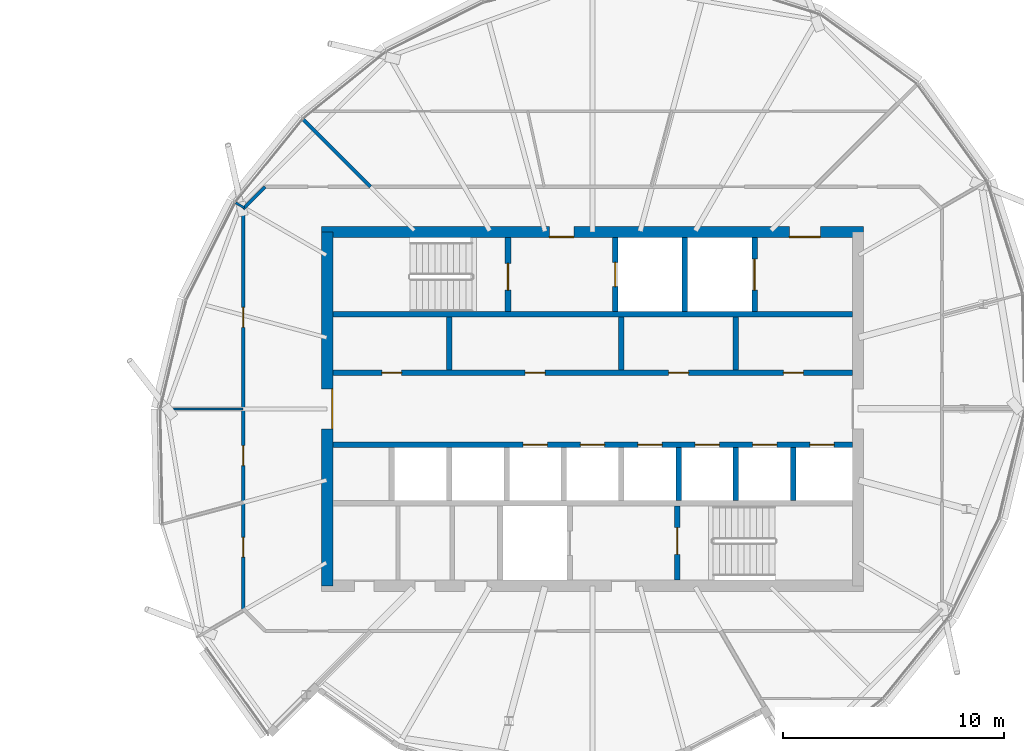
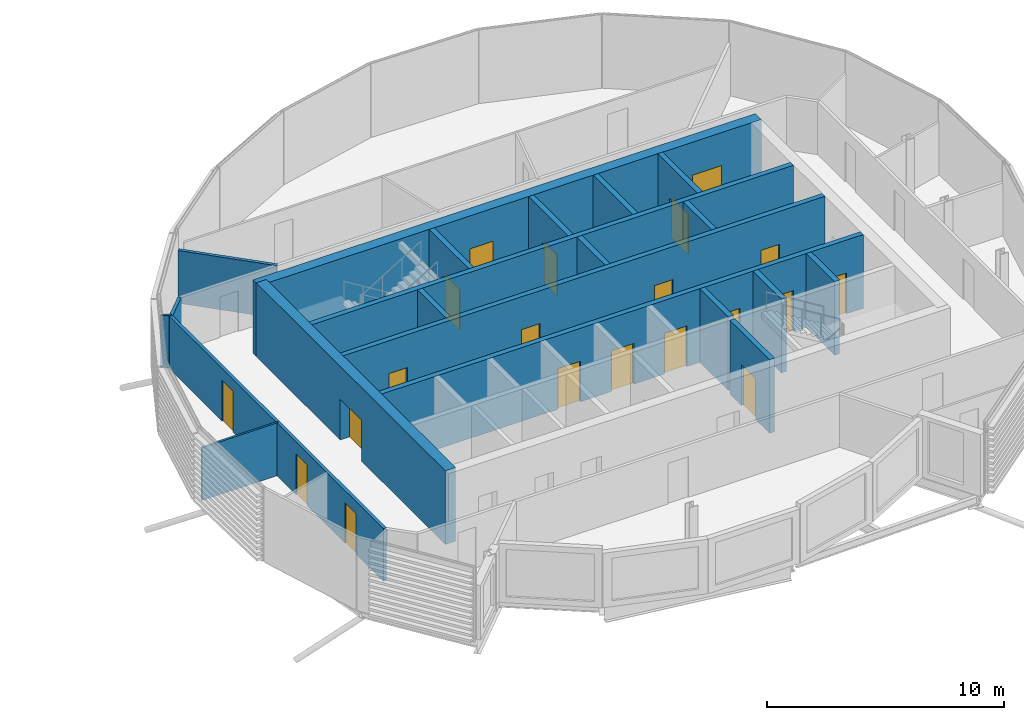
# One storey, part 22 of 35: 21 walls, 20 doors, 20 openings.
"""IFC4 building model written with IfcOpenShell, lengths in metres."""

from ifc_helpers import new_model, si_unit, direction, frame, frame_2d, origin, place, context, subcontext, project, spatial, rectangle, extrude, material, layer, layer_set, type_object, element, fill, save


model = new_model("IFC4")

# Units and contexts
model_context = context("Model", 3, precision=1e-05, world=origin(), true_north=direction((0.0, 1.0)))
body_context = subcontext(model_context, "Body", "Model", "MODEL_VIEW")
ifc_project = project(units=[si_unit("LENGTHUNIT", "METRE"), si_unit("AREAUNIT", "SQUARE_METRE"), si_unit("VOLUMEUNIT", "CUBIC_METRE"), si_unit("PLANEANGLEUNIT", "RADIAN"), si_unit("MASSUNIT", "GRAM", prefix="KILO")], contexts=[model_context])

# Site, building, storey
site_placement = place(None, origin())
site = spatial("IfcSite", under=ifc_project, at=site_placement, CompositionType="ELEMENT")
building_placement = place(site_placement, origin())
building = spatial("IfcBuilding", under=site, at=building_placement, Name="Rimbun Link Towers", CompositionType="ELEMENT")
storey_placement = place(building_placement, frame((0.0, 0.0, 229.5)))
storey = spatial("IfcBuildingStorey", under=building, at=storey_placement, Name="L56", CompositionType="ELEMENT", Elevation=229.5)

# Wall, openings, doors
ifc_material_1 = material(Name="Concrete C60/75", Category="concrete")
ifc_layer_1 = layer(ifc_material_1, 0.5)
ifc_layer_set_1 = layer_set([ifc_layer_1], Name="Core shear wall 500")
wall_type_1 = type_object("IfcWallType", Name="Core shear wall 500", PredefinedType="SHEAR", material=ifc_layer_set_1)
wall_1_placement = place(storey_placement, frame((19.5, 8.0, 0.0), z_axis=(0.0, 0.0, 1.0), x_axis=(1.0, 0.0, 0.0)))
wall_1 = element("IfcWall", 1, at=wall_1_placement, inside=storey, type_object=wall_type_1, Name="L56 T2 core wall N", PredefinedType="SHEAR", context=body_context, shape_type="SweptSolid", body=[
    extrude(rectangle(XDim=24.5, YDim=0.5, at=frame_2d((12.25, 0.0))), origin(), (0.0, 0.0, 1.0), 3.800048828125),
])
opening_1_placement = place(wall_1_placement, frame((10.300048828125, 0.0, 0.0)))
opening_1 = element("IfcOpeningElement", 2, at=opening_1_placement, cuts=wall_1, Name="Opening C2DCF01N", PredefinedType="OPENING", context=body_context, shape_type="SweptSolid", body=[
    extrude(rectangle(XDim=1.10009765625, YDim=2.10009765625, at=frame_2d((0.550048828125, 1.050048828125))), frame((0.0, 0.260009765625, 0.0), z_axis=(0.0, -1.0, 0.0), x_axis=(1.0, 0.0, 0.0)), (0.0, 0.0, 1.0), 0.52001953125),
])
opening_2_placement = place(wall_1_placement, frame((21.14990234375, 0.0, 0.0)))
opening_2 = element("IfcOpeningElement", 3, at=opening_2_placement, cuts=wall_1, Name="Opening C2DSL02N", PredefinedType="OPENING", context=body_context, shape_type="SweptSolid", body=[
    extrude(rectangle(XDim=1.39990234375, YDim=2.10009765625, at=frame_2d((0.699951171875, 1.050048828125))), frame((0.0, 0.260009765625, 0.0), z_axis=(0.0, -1.0, 0.0), x_axis=(1.0, 0.0, 0.0)), (0.0, 0.0, 1.0), 0.52001953125),
])
ifc_material_2 = material(Name="Steel fire door set", Category="steel")
door_type_1 = type_object("IfcDoorType", Name="Core fire door single", OperationType="SINGLE_SWING_LEFT", PredefinedType="DOOR", material=ifc_material_2)
door_1_placement = place(opening_1_placement, origin())
door_1 = element("IfcDoor", 4, at=door_1_placement, inside=storey, type_object=door_type_1, Name="L56 T2 firefighting lobby n door", OperationType="SINGLE_SWING_LEFT", OverallHeight=2.10009765625, OverallWidth=1.10009765625, PredefinedType="DOOR", context=body_context, shape_type="SweptSolid", body=[
    extrude(rectangle(XDim=1.10009765625, YDim=2.10009765625, at=frame_2d((0.550048828125, 1.050048828125))), frame((0.0, -0.2001953125, 0.0), z_axis=(0.0, -1.0, 0.0), x_axis=(1.0, 0.0, 0.0)), (0.0, 0.0, 1.0), 0.050048828125),
])
fill(opening_1, door_1)
ifc_material_3 = material(Name="Steel fire door set", Category="steel")
door_type_2 = type_object("IfcDoorType", Name="Service lobby door double", OperationType="DOUBLE_DOOR_SINGLE_SWING", PredefinedType="DOOR", material=ifc_material_3)
door_2_placement = place(opening_2_placement, origin())
door_2 = element("IfcDoor", 5, at=door_2_placement, inside=storey, type_object=door_type_2, Name="L56 T2 service lobby door", OperationType="DOUBLE_DOOR_SINGLE_SWING", OverallHeight=2.10009765625, OverallWidth=1.39990234375, PredefinedType="DOOR", context=body_context, shape_type="SweptSolid", body=[
    extrude(rectangle(XDim=1.39990234375, YDim=2.10009765625, at=frame_2d((0.699951171875, 1.050048828125))), frame((0.0, -0.2001953125, 0.0), z_axis=(0.0, -1.0, 0.0), x_axis=(1.0, 0.0, 0.0)), (0.0, 0.0, 1.0), 0.050048828125),
])
fill(opening_2, door_2)

# Wall, opening, door
wall_2_placement = place(storey_placement, frame((19.75, -8.0, 0.0), z_axis=(0.0, 0.0, 1.0), x_axis=(0.0, 1.0, 0.0)))
wall_2 = element("IfcWall", 6, at=wall_2_placement, inside=storey, type_object=wall_type_1, Name="L56 T2 core wall W", PredefinedType="SHEAR", context=body_context, shape_type="SweptSolid", body=[
    extrude(rectangle(XDim=16.0, YDim=0.5, at=frame_2d((8.0, 0.0))), origin(), (0.0, 0.0, 1.0), 3.800048828125),
])
opening_3_placement = place(wall_2_placement, frame((7.10009765625, 0.0, 0.0)))
opening_3 = element("IfcOpeningElement", 7, at=opening_3_placement, cuts=wall_2, Name="Opening C2DCL01W", PredefinedType="OPENING", context=body_context, shape_type="SweptSolid", body=[
    extrude(rectangle(XDim=1.800048828125, YDim=2.10009765625, at=frame_2d((0.89990234375, 1.050048828125))), frame((0.0, 0.260009765625, 0.0), z_axis=(0.0, -1.0, 0.0), x_axis=(1.0, 0.0, 0.0)), (0.0, 0.0, 1.0), 0.52001953125),
])
ifc_material_4 = material(Name="Steel fire door set", Category="steel")
door_type_3 = type_object("IfcDoorType", Name="Core lobby door double", OperationType="DOUBLE_DOOR_SINGLE_SWING", PredefinedType="DOOR", material=ifc_material_4)
door_3_placement = place(opening_3_placement, origin())
door_3 = element("IfcDoor", 8, at=door_3_placement, inside=storey, type_object=door_type_3, Name="L56 T2 lift lobby door", OperationType="DOUBLE_DOOR_SINGLE_SWING", OverallHeight=2.10009765625, OverallWidth=1.800048828125, PredefinedType="DOOR", context=body_context, shape_type="SweptSolid", body=[
    extrude(rectangle(XDim=1.800048828125, YDim=2.10009765625, at=frame_2d((0.89990234375, 1.050048828125))), frame((0.0, -0.2001953125, 0.0), z_axis=(0.0, -1.0, 0.0), x_axis=(1.0, 0.0, 0.0)), (0.0, 0.0, 1.0), 0.050048828125),
])
fill(opening_3, door_3)

# Wall, openings, doors
ifc_material_5 = material(Name="Plasterboard on steel stud, mineral wool", Category="steel")
ifc_layer_2 = layer(ifc_material_5, 0.14990234375)
ifc_layer_set_2 = layer_set([ifc_layer_2], Name="Corridor wall EI 30 150 mm")
wall_type_2 = type_object("IfcWallType", Name="Corridor wall EI 30 150 mm", PredefinedType="PARTITIONING", material=ifc_layer_set_2)
wall_3_placement = place(storey_placement, frame((15.945068359375, -9.043701171875, 0.0), z_axis=(0.0, 0.0, 1.0), x_axis=(0.0, 1.0, 0.0)))
wall_3 = element("IfcWall", 9, at=wall_3_placement, inside=storey, type_object=wall_type_2, Name="Corridor wall EI 30 150 mm", PredefinedType="PARTITIONING", context=body_context, shape_type="SweptSolid", body=[
    extrude(rectangle(XDim=18.08740234375, YDim=0.14990234375, at=frame_2d((9.043701171875, 0.0))), origin(), (0.0, 0.0, 1.0), 2.721923828125),
])
opening_4_placement = place(wall_3_placement, frame((12.733642578125, 0.0, 0.0)))
opening_4 = element("IfcOpeningElement", 10, at=opening_4_placement, cuts=wall_3, Name="Opening D02", PredefinedType="OPENING", context=body_context, shape_type="SweptSolid", body=[
    extrude(rectangle(XDim=0.89990234375, YDim=2.10009765625, at=frame_2d((0.449951171875, 1.050048828125))), frame((0.0, 0.0849609375, 0.0), z_axis=(0.0, -1.0, 0.0), x_axis=(1.0, 0.0, 0.0)), (0.0, 0.0, 1.0), 0.169921875),
])
opening_5_placement = place(wall_3_placement, frame((6.476318359375, 0.0, 0.0)))
opening_5 = element("IfcOpeningElement", 11, at=opening_5_placement, cuts=wall_3, Name="Opening D02", PredefinedType="OPENING", context=body_context, shape_type="SweptSolid", body=[
    extrude(rectangle(XDim=0.89990234375, YDim=2.10009765625, at=frame_2d((0.449951171875, 1.050048828125))), frame((0.0, 0.0849609375, 0.0), z_axis=(0.0, -1.0, 0.0), x_axis=(1.0, 0.0, 0.0)), (0.0, 0.0, 1.0), 0.169921875),
])
opening_6_placement = place(wall_3_placement, frame((2.336181640625, 0.0, 0.0)))
opening_6 = element("IfcOpeningElement", 12, at=opening_6_placement, cuts=wall_3, Name="Opening D02", PredefinedType="OPENING", context=body_context, shape_type="SweptSolid", body=[
    extrude(rectangle(XDim=0.89990234375, YDim=2.10009765625, at=frame_2d((0.449951171875, 1.050048828125))), frame((0.0, 0.0849609375, 0.0), z_axis=(0.0, -1.0, 0.0), x_axis=(1.0, 0.0, 0.0)), (0.0, 0.0, 1.0), 0.169921875),
])
ifc_material_6 = material(Name="Fire-resisting timber door leaf", Category="wood")
door_type_4 = type_object("IfcDoorType", Name="Fire door FD30S 900", OperationType="NOTDEFINED", PredefinedType="DOOR", material=ifc_material_6)
door_4_placement = place(opening_4_placement, origin())
door_4 = element("IfcDoor", 13, at=door_4_placement, inside=storey, type_object=door_type_4, Name="Fire door FD30S 900 to Executive office", OperationType="SINGLE_SWING_LEFT", OverallHeight=2.10009765625, OverallWidth=0.89990234375, PredefinedType="DOOR", context=body_context, shape_type="SweptSolid", body=[
    extrude(rectangle(XDim=0.89990234375, YDim=2.10009765625, at=frame_2d((0.449951171875, 1.050048828125))), frame((0.0, 0.02490234375, 0.0), z_axis=(0.0, -1.0, 0.0), x_axis=(1.0, 0.0, 0.0)), (0.0, 0.0, 1.0), 0.050048828125),
])
fill(opening_4, door_4)
door_5_placement = place(opening_5_placement, origin())
door_5 = element("IfcDoor", 14, at=door_5_placement, inside=storey, type_object=door_type_4, Name="Fire door FD30S 900 to Open office", OperationType="SINGLE_SWING_RIGHT", OverallHeight=2.10009765625, OverallWidth=0.89990234375, PredefinedType="DOOR", context=body_context, shape_type="SweptSolid", body=[
    extrude(rectangle(XDim=0.89990234375, YDim=2.10009765625, at=frame_2d((0.449951171875, 1.050048828125))), frame((0.0, 0.02490234375, 0.0), z_axis=(0.0, -1.0, 0.0), x_axis=(1.0, 0.0, 0.0)), (0.0, 0.0, 1.0), 0.050048828125),
])
fill(opening_5, door_5)
door_6_placement = place(opening_6_placement, origin())
door_6 = element("IfcDoor", 15, at=door_6_placement, inside=storey, type_object=door_type_4, Name="Fire door FD30S 900 to Boardroom", OperationType="SINGLE_SWING_LEFT", OverallHeight=2.10009765625, OverallWidth=0.89990234375, PredefinedType="DOOR", context=body_context, shape_type="SweptSolid", body=[
    extrude(rectangle(XDim=0.89990234375, YDim=2.10009765625, at=frame_2d((0.449951171875, 1.050048828125))), frame((0.0, 0.02490234375, 0.0), z_axis=(0.0, -1.0, 0.0), x_axis=(1.0, 0.0, 0.0)), (0.0, 0.0, 1.0), 0.050048828125),
])
fill(opening_6, door_6)

# Walls
wall_4_placement = place(storey_placement, frame((16.9462890625, 10.044921875, 0.0), z_axis=(0.0, 0.0, 1.0), x_axis=(-0.707106781187, -0.707106781187, 0.0)))
element("IfcWall", 16, at=wall_4_placement, inside=storey, type_object=wall_type_2, Name="Corridor wall EI 30 150 mm", PredefinedType="PARTITIONING", context=body_context, shape_type="SweptSolid", body=[
    extrude(rectangle(XDim=1.416015625, YDim=0.14990234375, at=frame_2d((0.7080078125, 0.0))), origin(), (0.0, 0.0, 1.0), 2.721923828125),
])
ifc_material_7 = material(Name="Plasterboard on steel stud", Category="steel")
ifc_layer_3 = layer(ifc_material_7, 0.10009765625)
ifc_layer_set_3 = layer_set([ifc_layer_3], Name="Plasterboard partition 100 mm")
wall_type_3 = type_object("IfcWallType", Name="Plasterboard partition 100 mm", PredefinedType="PARTITIONING", material=ifc_layer_set_3)
wall_5_placement = place(storey_placement, frame((15.600830078125, 9.32373046875, 0.0), z_axis=(0.0, 0.0, 1.0), x_axis=(0.865998750002, -0.500046162864, 0.0)))
element("IfcWall", 17, at=wall_5_placement, inside=storey, type_object=wall_type_3, Name="Plasterboard partition 100 mm", PredefinedType="PARTITIONING", context=body_context, shape_type="SweptSolid", body=[
    extrude(rectangle(XDim=0.45703125, YDim=0.10009765625, at=frame_2d((0.228515625, 0.0))), origin(), (0.0, 0.0, 1.0), 2.721923828125),
])
wall_6_placement = place(storey_placement, frame((12.212646484375, 0.0, 0.0), z_axis=(0.0, 0.0, 1.0), x_axis=(1.0, 0.0, 0.0)))
element("IfcWall", 18, at=wall_6_placement, inside=storey, type_object=wall_type_3, Name="Plasterboard partition 100 mm", PredefinedType="PARTITIONING", context=body_context, shape_type="SweptSolid", body=[
    extrude(rectangle(XDim=3.732421875, YDim=0.10009765625, at=frame_2d((1.8662109375, 0.0))), origin(), (0.0, 0.0, 1.0), 2.721923828125),
])
ifc_material_8 = material(Name="Concrete C60/75", Category="concrete")
ifc_layer_4 = layer(ifc_material_8, 0.25)
ifc_layer_set_4 = layer_set([ifc_layer_4], Name="Shaft wall 250")
wall_type_4 = type_object("IfcWallType", Name="Shaft wall 250", PredefinedType="SHEAR", material=ifc_layer_set_4)
wall_7_placement = place(storey_placement, frame((20.0, 4.27490234375, 0.0), z_axis=(0.0, 0.0, 1.0), x_axis=(1.0, 0.0, 0.0)))
element("IfcWall", 19, at=wall_7_placement, inside=storey, type_object=wall_type_4, Name="L56 T2 core wall BN", PredefinedType="SHEAR", context=body_context, shape_type="SweptSolid", body=[
    extrude(rectangle(XDim=23.5, YDim=0.25, at=frame_2d((11.75, 0.0))), origin(), (0.0, 0.0, 1.0), 3.800048828125),
])

# Wall, openings, doors
wall_8_placement = place(storey_placement, frame((20.0, 1.625, 0.0), z_axis=(0.0, 0.0, 1.0), x_axis=(1.0, 0.0, 0.0)))
wall_8 = element("IfcWall", 20, at=wall_8_placement, inside=storey, type_object=wall_type_4, Name="L56 T2 core wall FN", PredefinedType="SHEAR", context=body_context, shape_type="SweptSolid", body=[
    extrude(rectangle(XDim=23.5, YDim=0.25, at=frame_2d((11.75, 0.0))), origin(), (0.0, 0.0, 1.0), 3.800048828125),
])
opening_7_placement = place(wall_8_placement, frame((2.219482421875, 0.0, 0.0)))
opening_7 = element("IfcOpeningElement", 21, at=opening_7_placement, cuts=wall_8, Name="Opening C2DRS01FN", PredefinedType="OPENING", context=body_context, shape_type="SweptSolid", body=[
    extrude(rectangle(XDim=0.89990234375, YDim=2.10009765625, at=frame_2d((0.449951171875, 1.050048828125))), frame((0.0, 0.135009765625, 0.0), z_axis=(0.0, -1.0, 0.0), x_axis=(1.0, 0.0, 0.0)), (0.0, 0.0, 1.0), 0.27001953125),
])
opening_8_placement = place(wall_8_placement, frame((8.70556640625, 0.0, 0.0)))
opening_8 = element("IfcOpeningElement", 22, at=opening_8_placement, cuts=wall_8, Name="Opening C2DRS02FN", PredefinedType="OPENING", context=body_context, shape_type="SweptSolid", body=[
    extrude(rectangle(XDim=0.89990234375, YDim=2.10009765625, at=frame_2d((0.449951171875, 1.050048828125))), frame((0.0, 0.135009765625, 0.0), z_axis=(0.0, -1.0, 0.0), x_axis=(1.0, 0.0, 0.0)), (0.0, 0.0, 1.0), 0.27001953125),
])
opening_9_placement = place(wall_8_placement, frame((15.191650390625, 0.0, 0.0)))
opening_9 = element("IfcOpeningElement", 23, at=opening_9_placement, cuts=wall_8, Name="Opening C2DRS03FN", PredefinedType="OPENING", context=body_context, shape_type="SweptSolid", body=[
    extrude(rectangle(XDim=0.89990234375, YDim=2.10009765625, at=frame_2d((0.449951171875, 1.050048828125))), frame((0.0, 0.135009765625, 0.0), z_axis=(0.0, -1.0, 0.0), x_axis=(1.0, 0.0, 0.0)), (0.0, 0.0, 1.0), 0.27001953125),
])
opening_10_placement = place(wall_8_placement, frame((20.380615234375, 0.0, 0.0)))
opening_10 = element("IfcOpeningElement", 24, at=opening_10_placement, cuts=wall_8, Name="Opening C2DRS04FN", PredefinedType="OPENING", context=body_context, shape_type="SweptSolid", body=[
    extrude(rectangle(XDim=0.89990234375, YDim=2.10009765625, at=frame_2d((0.449951171875, 1.050048828125))), frame((0.0, 0.135009765625, 0.0), z_axis=(0.0, -1.0, 0.0), x_axis=(1.0, 0.0, 0.0)), (0.0, 0.0, 1.0), 0.27001953125),
])
ifc_material_9 = material(Name="Steel fire door set", Category="steel")
door_type_5 = type_object("IfcDoorType", Name="Core riser door", OperationType="SINGLE_SWING_LEFT", PredefinedType="DOOR", material=ifc_material_9)
door_7_placement = place(opening_7_placement, origin())
door_7 = element("IfcDoor", 25, at=door_7_placement, inside=storey, type_object=door_type_5, Name="L56 T2 first aid room door", OperationType="SINGLE_SWING_LEFT", OverallHeight=2.10009765625, OverallWidth=0.89990234375, PredefinedType="DOOR", context=body_context, shape_type="SweptSolid", body=[
    extrude(rectangle(XDim=0.89990234375, YDim=2.10009765625, at=frame_2d((0.449951171875, 1.050048828125))), frame((0.0, 0.02490234375, 0.0), z_axis=(0.0, -1.0, 0.0), x_axis=(1.0, 0.0, 0.0)), (0.0, 0.0, 1.0), 0.050048828125),
])
fill(opening_7, door_7)
door_8_placement = place(opening_8_placement, origin())
door_8 = element("IfcDoor", 26, at=door_8_placement, inside=storey, type_object=door_type_5, Name="L56 T2 plant room door", OperationType="SINGLE_SWING_LEFT", OverallHeight=2.10009765625, OverallWidth=0.89990234375, PredefinedType="DOOR", context=body_context, shape_type="SweptSolid", body=[
    extrude(rectangle(XDim=0.89990234375, YDim=2.10009765625, at=frame_2d((0.449951171875, 1.050048828125))), frame((0.0, 0.02490234375, 0.0), z_axis=(0.0, -1.0, 0.0), x_axis=(1.0, 0.0, 0.0)), (0.0, 0.0, 1.0), 0.050048828125),
])
fill(opening_8, door_8)
door_9_placement = place(opening_9_placement, origin())
door_9 = element("IfcDoor", 27, at=door_9_placement, inside=storey, type_object=door_type_5, Name="L56 T2 archive store door", OperationType="SINGLE_SWING_LEFT", OverallHeight=2.10009765625, OverallWidth=0.89990234375, PredefinedType="DOOR", context=body_context, shape_type="SweptSolid", body=[
    extrude(rectangle(XDim=0.89990234375, YDim=2.10009765625, at=frame_2d((0.449951171875, 1.050048828125))), frame((0.0, 0.02490234375, 0.0), z_axis=(0.0, -1.0, 0.0), x_axis=(1.0, 0.0, 0.0)), (0.0, 0.0, 1.0), 0.050048828125),
])
fill(opening_9, door_9)
door_10_placement = place(opening_10_placement, origin())
door_10 = element("IfcDoor", 28, at=door_10_placement, inside=storey, type_object=door_type_5, Name="L56 T2 pantry door", OperationType="SINGLE_SWING_LEFT", OverallHeight=2.10009765625, OverallWidth=0.89990234375, PredefinedType="DOOR", context=body_context, shape_type="SweptSolid", body=[
    extrude(rectangle(XDim=0.89990234375, YDim=2.10009765625, at=frame_2d((0.449951171875, 1.050048828125))), frame((0.0, 0.02490234375, 0.0), z_axis=(0.0, -1.0, 0.0), x_axis=(1.0, 0.0, 0.0)), (0.0, 0.0, 1.0), 0.050048828125),
])
fill(opening_10, door_10)

wall_9_placement = place(storey_placement, frame((20.0, -1.625, 0.0), z_axis=(0.0, 0.0, 1.0), x_axis=(1.0, 0.0, 0.0)))
wall_9 = element("IfcWall", 29, at=wall_9_placement, inside=storey, type_object=wall_type_4, Name="L56 T2 core wall FS", PredefinedType="SHEAR", context=body_context, shape_type="SweptSolid", body=[
    extrude(rectangle(XDim=23.5, YDim=0.25, at=frame_2d((11.75, 0.0))), origin(), (0.0, 0.0, 1.0), 3.800048828125),
])
opening_11_placement = place(wall_9_placement, frame((8.605712890625, 0.0, 0.0)))
opening_11 = element("IfcOpeningElement", 30, at=opening_11_placement, cuts=wall_9, Name="Opening LD-T2-HR1", PredefinedType="OPENING", context=body_context, shape_type="SweptSolid", body=[
    extrude(rectangle(XDim=1.10009765625, YDim=2.10009765625, at=frame_2d((0.550048828125, 1.050048828125))), frame((0.0, 0.135009765625, 0.0), z_axis=(0.0, -1.0, 0.0), x_axis=(1.0, 0.0, 0.0)), (0.0, 0.0, 1.0), 0.27001953125),
])
opening_12_placement = place(wall_9_placement, frame((11.199951171875, 0.0, 0.0)))
opening_12 = element("IfcOpeningElement", 31, at=opening_12_placement, cuts=wall_9, Name="Opening LD-T2-HR2", PredefinedType="OPENING", context=body_context, shape_type="SweptSolid", body=[
    extrude(rectangle(XDim=1.10009765625, YDim=2.10009765625, at=frame_2d((0.550048828125, 1.050048828125))), frame((0.0, 0.135009765625, 0.0), z_axis=(0.0, -1.0, 0.0), x_axis=(1.0, 0.0, 0.0)), (0.0, 0.0, 1.0), 0.27001953125),
])
opening_13_placement = place(wall_9_placement, frame((13.79443359375, 0.0, 0.0)))
opening_13 = element("IfcOpeningElement", 32, at=opening_13_placement, cuts=wall_9, Name="Opening LD-T2-HR3", PredefinedType="OPENING", context=body_context, shape_type="SweptSolid", body=[
    extrude(rectangle(XDim=1.10009765625, YDim=2.10009765625, at=frame_2d((0.550048828125, 1.050048828125))), frame((0.0, 0.135009765625, 0.0), z_axis=(0.0, -1.0, 0.0), x_axis=(1.0, 0.0, 0.0)), (0.0, 0.0, 1.0), 0.27001953125),
])
opening_14_placement = place(wall_9_placement, frame((16.388916015625, 0.0, 0.0)))
opening_14 = element("IfcOpeningElement", 33, at=opening_14_placement, cuts=wall_9, Name="Opening LD-T2-HR4", PredefinedType="OPENING", context=body_context, shape_type="SweptSolid", body=[
    extrude(rectangle(XDim=1.10009765625, YDim=2.10009765625, at=frame_2d((0.550048828125, 1.050048828125))), frame((0.0, 0.135009765625, 0.0), z_axis=(0.0, -1.0, 0.0), x_axis=(1.0, 0.0, 0.0)), (0.0, 0.0, 1.0), 0.27001953125),
])
opening_15_placement = place(wall_9_placement, frame((18.9833984375, 0.0, 0.0)))
opening_15 = element("IfcOpeningElement", 34, at=opening_15_placement, cuts=wall_9, Name="Opening LD-T2-HR5", PredefinedType="OPENING", context=body_context, shape_type="SweptSolid", body=[
    extrude(rectangle(XDim=1.10009765625, YDim=2.10009765625, at=frame_2d((0.550048828125, 1.050048828125))), frame((0.0, 0.135009765625, 0.0), z_axis=(0.0, -1.0, 0.0), x_axis=(1.0, 0.0, 0.0)), (0.0, 0.0, 1.0), 0.27001953125),
])
opening_16_placement = place(wall_9_placement, frame((21.577880859375, 0.0, 0.0)))
opening_16 = element("IfcOpeningElement", 35, at=opening_16_placement, cuts=wall_9, Name="Opening LD-T2-HR6", PredefinedType="OPENING", context=body_context, shape_type="SweptSolid", body=[
    extrude(rectangle(XDim=1.10009765625, YDim=2.10009765625, at=frame_2d((0.550048828125, 1.050048828125))), frame((0.0, 0.135009765625, 0.0), z_axis=(0.0, -1.0, 0.0), x_axis=(1.0, 0.0, 0.0)), (0.0, 0.0, 1.0), 0.27001953125),
])
ifc_material_10 = material(Name="Stainless steel grade 316", Category="steel")
door_type_6 = type_object("IfcDoorType", Name="Lift landing door", OperationType="DOUBLE_DOOR_SLIDING", PredefinedType="DOOR", material=ifc_material_10)
door_11_placement = place(opening_11_placement, origin())
door_11 = element("IfcDoor", 36, at=door_11_placement, inside=storey, type_object=door_type_6, Name="L56 T2 lift HR1 landing door", OperationType="DOUBLE_DOOR_SLIDING", OverallHeight=2.10009765625, OverallWidth=1.10009765625, PredefinedType="DOOR", context=body_context, shape_type="SweptSolid", body=[
    extrude(rectangle(XDim=1.10009765625, YDim=2.10009765625, at=frame_2d((0.550048828125, 1.050048828125))), frame((0.0, 0.02490234375, 0.0), z_axis=(0.0, -1.0, 0.0), x_axis=(1.0, 0.0, 0.0)), (0.0, 0.0, 1.0), 0.050048828125),
])
fill(opening_11, door_11)
door_12_placement = place(opening_12_placement, origin())
door_12 = element("IfcDoor", 37, at=door_12_placement, inside=storey, type_object=door_type_6, Name="L56 T2 lift HR2 landing door", OperationType="DOUBLE_DOOR_SLIDING", OverallHeight=2.10009765625, OverallWidth=1.10009765625, PredefinedType="DOOR", context=body_context, shape_type="SweptSolid", body=[
    extrude(rectangle(XDim=1.10009765625, YDim=2.10009765625, at=frame_2d((0.550048828125, 1.050048828125))), frame((0.0, 0.02490234375, 0.0), z_axis=(0.0, -1.0, 0.0), x_axis=(1.0, 0.0, 0.0)), (0.0, 0.0, 1.0), 0.050048828125),
])
fill(opening_12, door_12)
door_13_placement = place(opening_13_placement, origin())
door_13 = element("IfcDoor", 38, at=door_13_placement, inside=storey, type_object=door_type_6, Name="L56 T2 lift HR3 landing door", OperationType="DOUBLE_DOOR_SLIDING", OverallHeight=2.10009765625, OverallWidth=1.10009765625, PredefinedType="DOOR", context=body_context, shape_type="SweptSolid", body=[
    extrude(rectangle(XDim=1.10009765625, YDim=2.10009765625, at=frame_2d((0.550048828125, 1.050048828125))), frame((0.0, 0.02490234375, 0.0), z_axis=(0.0, -1.0, 0.0), x_axis=(1.0, 0.0, 0.0)), (0.0, 0.0, 1.0), 0.050048828125),
])
fill(opening_13, door_13)
door_14_placement = place(opening_14_placement, origin())
door_14 = element("IfcDoor", 39, at=door_14_placement, inside=storey, type_object=door_type_6, Name="L56 T2 lift HR4 landing door", OperationType="DOUBLE_DOOR_SLIDING", OverallHeight=2.10009765625, OverallWidth=1.10009765625, PredefinedType="DOOR", context=body_context, shape_type="SweptSolid", body=[
    extrude(rectangle(XDim=1.10009765625, YDim=2.10009765625, at=frame_2d((0.550048828125, 1.050048828125))), frame((0.0, 0.02490234375, 0.0), z_axis=(0.0, -1.0, 0.0), x_axis=(1.0, 0.0, 0.0)), (0.0, 0.0, 1.0), 0.050048828125),
])
fill(opening_14, door_14)
door_15_placement = place(opening_15_placement, origin())
door_15 = element("IfcDoor", 40, at=door_15_placement, inside=storey, type_object=door_type_6, Name="L56 T2 lift HR5 landing door", OperationType="DOUBLE_DOOR_SLIDING", OverallHeight=2.10009765625, OverallWidth=1.10009765625, PredefinedType="DOOR", context=body_context, shape_type="SweptSolid", body=[
    extrude(rectangle(XDim=1.10009765625, YDim=2.10009765625, at=frame_2d((0.550048828125, 1.050048828125))), frame((0.0, 0.02490234375, 0.0), z_axis=(0.0, -1.0, 0.0), x_axis=(1.0, 0.0, 0.0)), (0.0, 0.0, 1.0), 0.050048828125),
])
fill(opening_15, door_15)
door_16_placement = place(opening_16_placement, origin())
door_16 = element("IfcDoor", 41, at=door_16_placement, inside=storey, type_object=door_type_6, Name="L56 T2 lift HR6 landing door", OperationType="DOUBLE_DOOR_SLIDING", OverallHeight=2.10009765625, OverallWidth=1.10009765625, PredefinedType="DOOR", context=body_context, shape_type="SweptSolid", body=[
    extrude(rectangle(XDim=1.10009765625, YDim=2.10009765625, at=frame_2d((0.550048828125, 1.050048828125))), frame((0.0, 0.02490234375, 0.0), z_axis=(0.0, -1.0, 0.0), x_axis=(1.0, 0.0, 0.0)), (0.0, 0.0, 1.0), 0.050048828125),
])
fill(opening_16, door_16)

# Walls
for number, where, z_axis, x_axis, name in (
    (42, (25.263916015625, 1.75, 0.0), (0.0, 0.0, 1.0), (0.0, 1.0, 0.0), "L56 T2 core wall DN1"),
    (43, (33.047119140625, 1.75, 0.0), (0.0, 0.0, 1.0), (0.0, 1.0, 0.0), "L56 T2 core wall DN4"),
    (44, (38.236083984375, 1.75, 0.0), (0.0, 0.0, 1.0), (0.0, 1.0, 0.0), "L56 T2 core wall DN6"),
    (45, (35.6416015625, -4.14990234375, 0.0), (0.0, 0.0, 1.0), (0.0, 1.0, 0.0), "L56 T2 core wall DS5"),
    (46, (38.236083984375, -4.14990234375, 0.0), (0.0, 0.0, 1.0), (0.0, 1.0, 0.0), "L56 T2 core wall DS6"),
    (47, (40.83056640625, -4.14990234375, 0.0), (0.0, 0.0, 1.0), (0.0, 1.0, 0.0), "L56 T2 core wall DS7"),
):
    element("IfcWall", number, at=place(storey_placement, frame(where, z_axis=z_axis, x_axis=x_axis)), inside=storey, type_object=wall_type_4, Name=name, PredefinedType="SHEAR", context=body_context, shape_type="SweptSolid", body=[
        extrude(rectangle(XDim=2.39990234375, YDim=0.25, at=frame_2d((1.199951171875, 0.0))), origin(), (0.0, 0.0, 1.0), 3.800048828125),
    ])

# Wall, opening, door
wall_10_placement = place(storey_placement, frame((27.925048828125, 4.39990234375, 0.0), z_axis=(0.0, 0.0, 1.0), x_axis=(0.0, 1.0, 0.0)))
wall_10 = element("IfcWall", 48, at=wall_10_placement, inside=storey, type_object=wall_type_4, Name="L56 T2 core wall A1", PredefinedType="SHEAR", context=body_context, shape_type="SweptSolid", body=[
    extrude(rectangle(XDim=3.35009765625, YDim=0.25, at=frame_2d((1.675048828125, 0.0))), origin(), (0.0, 0.0, 1.0), 3.800048828125),
])
opening_17_placement = place(wall_10_placement, frame((0.97509765625, 0.0, 0.0)))
opening_17 = element("IfcOpeningElement", 49, at=opening_17_placement, cuts=wall_10, Name="Opening C2DST01A1", PredefinedType="OPENING", context=body_context, shape_type="SweptSolid", body=[
    extrude(rectangle(XDim=1.199951171875, YDim=2.10009765625, at=frame_2d((0.60009765625, 1.050048828125))), frame((0.0, 0.135009765625, 0.0), z_axis=(0.0, -1.0, 0.0), x_axis=(1.0, 0.0, 0.0)), (0.0, 0.0, 1.0), 0.27001953125),
])
ifc_material_11 = material(Name="Steel fire door set", Category="steel")
door_type_7 = type_object("IfcDoorType", Name="Stair door", OperationType="SINGLE_SWING_LEFT", PredefinedType="DOOR", material=ifc_material_11)
door_17_placement = place(opening_17_placement, origin())
door_17 = element("IfcDoor", 50, at=door_17_placement, inside=storey, type_object=door_type_7, Name="L56 T2 stair a door", OperationType="SINGLE_SWING_RIGHT", OverallHeight=2.10009765625, OverallWidth=1.199951171875, PredefinedType="DOOR", context=body_context, shape_type="SweptSolid", body=[
    extrude(rectangle(XDim=1.199951171875, YDim=2.10009765625, at=frame_2d((0.60009765625, 1.050048828125))), frame((0.0, 0.02490234375, 0.0), z_axis=(0.0, -1.0, 0.0), x_axis=(1.0, 0.0, 0.0)), (0.0, 0.0, 1.0), 0.050048828125),
])
fill(opening_17, door_17)

wall_11_placement = place(storey_placement, frame((32.77490234375, 4.39990234375, 0.0), z_axis=(0.0, 0.0, 1.0), x_axis=(0.0, 1.0, 0.0)))
wall_11 = element("IfcWall", 51, at=wall_11_placement, inside=storey, type_object=wall_type_4, Name="L56 T2 core wall A2", PredefinedType="SHEAR", context=body_context, shape_type="SweptSolid", body=[
    extrude(rectangle(XDim=3.35009765625, YDim=0.25, at=frame_2d((1.675048828125, 0.0))), origin(), (0.0, 0.0, 1.0), 3.800048828125),
])
opening_18_placement = place(wall_11_placement, frame((1.125, 0.0, 0.0)))
opening_18 = element("IfcOpeningElement", 52, at=opening_18_placement, cuts=wall_11, Name="Opening LD-T2-FF1", PredefinedType="OPENING", context=body_context, shape_type="SweptSolid", body=[
    extrude(rectangle(XDim=1.10009765625, YDim=2.10009765625, at=frame_2d((0.550048828125, 1.050048828125))), frame((0.0, 0.135009765625, 0.0), z_axis=(0.0, -1.0, 0.0), x_axis=(1.0, 0.0, 0.0)), (0.0, 0.0, 1.0), 0.27001953125),
])
door_18_placement = place(opening_18_placement, origin())
door_18 = element("IfcDoor", 53, at=door_18_placement, inside=storey, type_object=door_type_6, Name="L56 T2 lift FF1 landing door", OperationType="DOUBLE_DOOR_SLIDING", OverallHeight=2.10009765625, OverallWidth=1.10009765625, PredefinedType="DOOR", context=body_context, shape_type="SweptSolid", body=[
    extrude(rectangle(XDim=1.10009765625, YDim=2.10009765625, at=frame_2d((0.550048828125, 1.050048828125))), frame((0.0, 0.02490234375, 0.0), z_axis=(0.0, -1.0, 0.0), x_axis=(1.0, 0.0, 0.0)), (0.0, 0.0, 1.0), 0.050048828125),
])
fill(opening_18, door_18)

# Wall
wall_12_placement = place(storey_placement, frame((35.925048828125, 4.39990234375, 0.0), z_axis=(0.0, 0.0, 1.0), x_axis=(0.0, 1.0, 0.0)))
element("IfcWall", 54, at=wall_12_placement, inside=storey, type_object=wall_type_4, Name="L56 T2 core wall A3", PredefinedType="SHEAR", context=body_context, shape_type="SweptSolid", body=[
    extrude(rectangle(XDim=3.35009765625, YDim=0.25, at=frame_2d((1.675048828125, 0.0))), origin(), (0.0, 0.0, 1.0), 3.800048828125),
])

# Wall, opening, door
wall_13_placement = place(storey_placement, frame((39.074951171875, 4.39990234375, 0.0), z_axis=(0.0, 0.0, 1.0), x_axis=(0.0, 1.0, 0.0)))
wall_13 = element("IfcWall", 55, at=wall_13_placement, inside=storey, type_object=wall_type_4, Name="L56 T2 core wall A4", PredefinedType="SHEAR", context=body_context, shape_type="SweptSolid", body=[
    extrude(rectangle(XDim=3.35009765625, YDim=0.25, at=frame_2d((1.675048828125, 0.0))), origin(), (0.0, 0.0, 1.0), 3.800048828125),
])
opening_19_placement = place(wall_13_placement, frame((0.97509765625, 0.0, 0.0)))
opening_19 = element("IfcOpeningElement", 56, at=opening_19_placement, cuts=wall_13, Name="Opening LD-T2-GL1", PredefinedType="OPENING", context=body_context, shape_type="SweptSolid", body=[
    extrude(rectangle(XDim=1.39990234375, YDim=2.10009765625, at=frame_2d((0.699951171875, 1.050048828125))), frame((0.0, 0.135009765625, 0.0), z_axis=(0.0, -1.0, 0.0), x_axis=(1.0, 0.0, 0.0)), (0.0, 0.0, 1.0), 0.27001953125),
])
ifc_material_12 = material(Name="Stainless steel grade 316", Category="steel")
door_type_8 = type_object("IfcDoorType", Name="Goods lift landing door", OperationType="DOUBLE_DOOR_SLIDING", PredefinedType="DOOR", material=ifc_material_12)
door_19_placement = place(opening_19_placement, origin())
door_19 = element("IfcDoor", 57, at=door_19_placement, inside=storey, type_object=door_type_8, Name="L56 T2 lift GL1 landing door", OperationType="DOUBLE_DOOR_SLIDING", OverallHeight=2.10009765625, OverallWidth=1.39990234375, PredefinedType="DOOR", context=body_context, shape_type="SweptSolid", body=[
    extrude(rectangle(XDim=1.39990234375, YDim=2.10009765625, at=frame_2d((0.699951171875, 1.050048828125))), frame((0.0, 0.02490234375, 0.0), z_axis=(0.0, -1.0, 0.0), x_axis=(1.0, 0.0, 0.0)), (0.0, 0.0, 1.0), 0.050048828125),
])
fill(opening_19, door_19)

wall_14_placement = place(storey_placement, frame((35.574951171875, -4.39990234375, 0.0), z_axis=(0.0, 0.0, 1.0), x_axis=(0.0, -1.0, 0.0)))
wall_14 = element("IfcWall", 58, at=wall_14_placement, inside=storey, type_object=wall_type_4, Name="L56 T2 core wall B1", PredefinedType="SHEAR", context=body_context, shape_type="SweptSolid", body=[
    extrude(rectangle(XDim=3.35009765625, YDim=0.25, at=frame_2d((1.675048828125, 0.0))), origin(), (0.0, 0.0, 1.0), 3.800048828125),
])
opening_20_placement = place(wall_14_placement, frame((0.97509765625, 0.0, 0.0)))
opening_20 = element("IfcOpeningElement", 59, at=opening_20_placement, cuts=wall_14, Name="Opening C2DST01B1", PredefinedType="OPENING", context=body_context, shape_type="SweptSolid", body=[
    extrude(rectangle(XDim=1.199951171875, YDim=2.10009765625, at=frame_2d((0.60009765625, 1.050048828125))), frame((0.0, 0.135009765625, 0.0), z_axis=(0.0, -1.0, 0.0), x_axis=(1.0, 0.0, 0.0)), (0.0, 0.0, 1.0), 0.27001953125),
])
door_20_placement = place(opening_20_placement, origin())
door_20 = element("IfcDoor", 60, at=door_20_placement, inside=storey, type_object=door_type_7, Name="L56 T2 stair b door", OperationType="SINGLE_SWING_RIGHT", OverallHeight=2.10009765625, OverallWidth=1.199951171875, PredefinedType="DOOR", context=body_context, shape_type="SweptSolid", body=[
    extrude(rectangle(XDim=1.199951171875, YDim=2.10009765625, at=frame_2d((0.60009765625, 1.050048828125))), frame((0.0, 0.02490234375, 0.0), z_axis=(0.0, -1.0, 0.0), x_axis=(1.0, 0.0, 0.0)), (0.0, 0.0, 1.0), 0.050048828125),
])
fill(opening_20, door_20)

# Wall
ifc_material_13 = material(Name="Plasterboard on steel stud, mineral wool", Category="steel")
ifc_layer_5 = layer(ifc_material_13, 0.14990234375)
ifc_layer_set_5 = layer_set([ifc_layer_5], Name="Tenancy separation wall EI 60 150 mm")
wall_type_5 = type_object("IfcWallType", Name="Tenancy separation wall EI 60 150 mm", PredefinedType="PARTITIONING", material=ifc_layer_set_5)
wall_15_placement = place(storey_placement, frame((21.705078125, 10.044921875, 0.0), z_axis=(0.0, 0.0, 1.0), x_axis=(-0.707106781187, 0.707106781187, 0.0)))
element("IfcWall", 61, at=wall_15_placement, inside=storey, type_object=wall_type_5, Name="Tenancy separation wall EI 60 150 mm", PredefinedType="PARTITIONING", context=body_context, shape_type="SweptSolid", body=[
    extrude(rectangle(XDim=4.314453125, YDim=0.14990234375, at=frame_2d((2.1572265625, 0.0))), origin(), (0.0, 0.0, 1.0), 2.721923828125),
])

save(model, "model.ifc")
